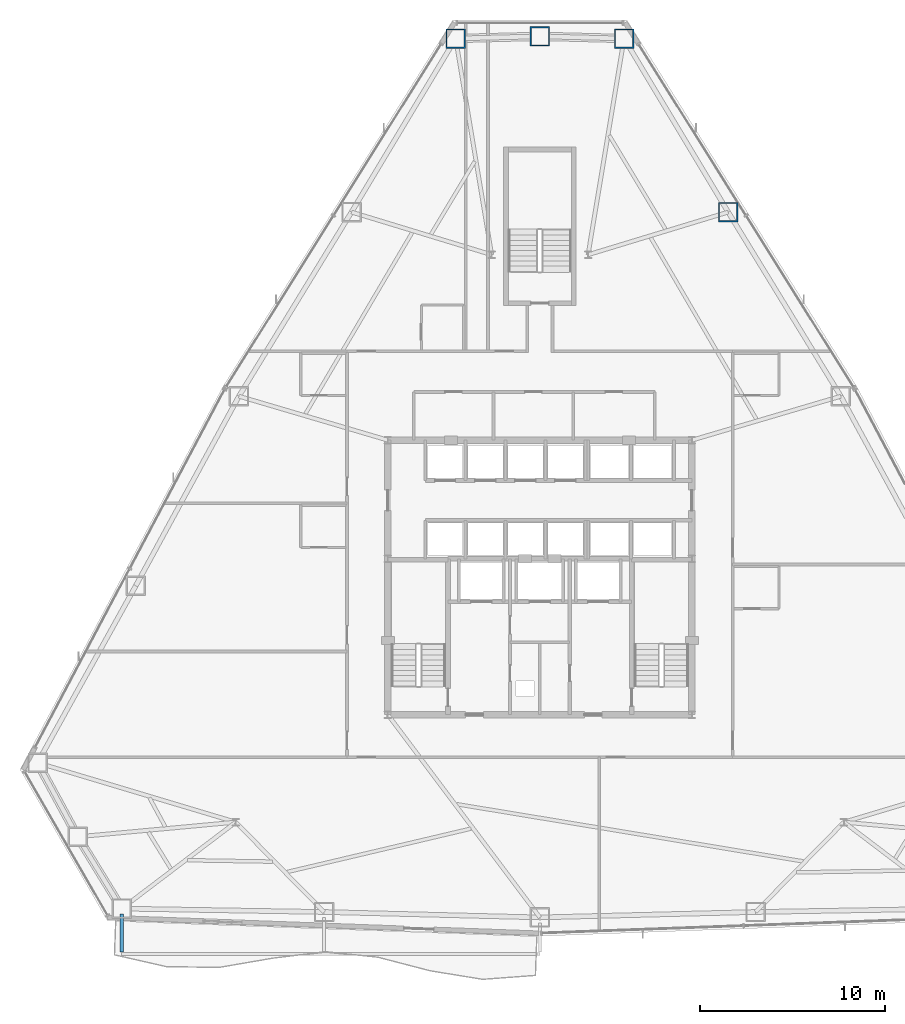
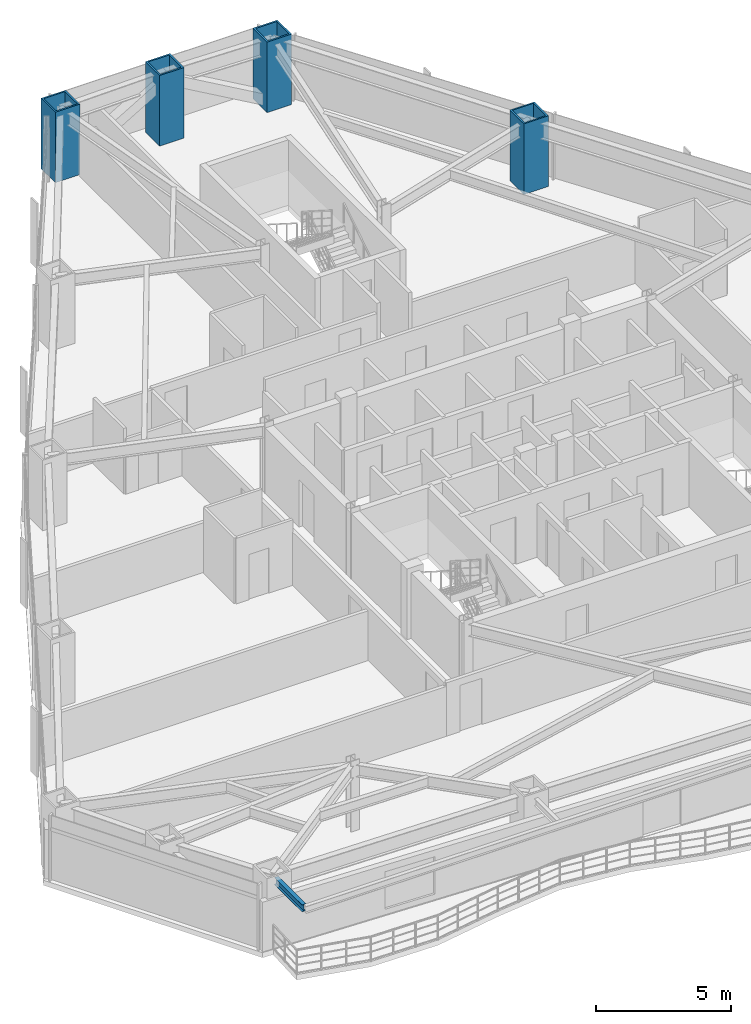
# One storey, part 3 of 13: 4 columns, 1 beam.
"""IFC4 building model written with IfcOpenShell, lengths in metres."""

import ifcopenshell
import ifcopenshell.guid

model = None  # the IFC model being written
_history = None  # IfcOwnerHistory: only IFC2X3 demands one
_inside = {}  # id of a spatial element -> (the spatial element, [elements in it])
_under = {}  # id of a project, library or spatial element -> (it, [spatial elements below it])
_declared = {}  # id of a project -> (the project, [libraries it declares])
_typed = {}  # id of a type object -> (the type object, [elements of that type])
_made_of = {}  # id of a material, layer set ... -> (it, [elements and type objects made of it])


def new_model(schema):
    """Start an empty IFC model of exactly this schema.

    Asked for "IFC4X3", IfcOpenShell would pick the latest addendum, in which some entities
    have other attributes; the version numbers below select the first issue.
    IFC2X3 requires an IfcOwnerHistory on every rooted entity: one is made here for all.
    """
    global model, _history
    if schema == "IFC4X3":
        model = ifcopenshell.file(schema_version=(4, 3, 0, 0))
    else:
        model = ifcopenshell.file(schema=schema)
    _inside.clear()
    _under.clear()
    _declared.clear()
    _typed.clear()
    _made_of.clear()
    _history = None
    if model.schema == "IFC2X3":
        org = make("IfcOrganization", Name="unknown")
        user = make(
            "IfcPersonAndOrganization",
            ThePerson=make("IfcPerson", FamilyName="unknown"),
            TheOrganization=org,
        )
        app = make(
            "IfcApplication",
            ApplicationDeveloper=org,
            Version="unknown",
            ApplicationFullName="unknown",
            ApplicationIdentifier="unknown",
        )
        _history = make(
            "IfcOwnerHistory",
            OwningUser=user,
            OwningApplication=app,
            ChangeAction="ADDED",
            CreationDate=0,
        )
    return model


def make(cls, **values):
    """One entity of the class cls with the attributes given. An attribute that is None is left unset."""
    return model.create_entity(
        cls, **{name: value for name, value in values.items() if value is not None}
    )


def rooted(cls, **values):
    """An entity with a GlobalId (a new one), such as an element, a storey or a relation."""
    return make(cls, GlobalId=ifcopenshell.guid.new(), OwnerHistory=_history, **values)


def si_unit(unit_type, name, prefix=None):
    """IfcSIUnit, for example si_unit("LENGTHUNIT", "METRE", prefix="MILLI")."""
    return make("IfcSIUnit", UnitType=unit_type, Prefix=prefix, Name=name)


def assignment(units):
    """IfcUnitAssignment: the units of a project."""
    return None if units is None else make("IfcUnitAssignment", Units=units)


def point(xyz):
    """IfcCartesianPoint."""
    return None if xyz is None else make("IfcCartesianPoint", Coordinates=xyz)


def direction(xyz):
    """IfcDirection."""
    return None if xyz is None else make("IfcDirection", DirectionRatios=xyz)


def frame(location, z_axis=None, x_axis=None):
    """IfcAxis2Placement3D, a coordinate frame: its origin and axes. An axis left out is left unset."""
    return make(
        "IfcAxis2Placement3D",
        Location=point(location),
        Axis=direction(z_axis),
        RefDirection=direction(x_axis),
    )


def frame_2d(location, x_axis=None):
    """IfcAxis2Placement2D, a coordinate frame in the plane: its origin and x axis."""
    return make(
        "IfcAxis2Placement2D", Location=point(location), RefDirection=direction(x_axis)
    )


def origin():
    """The frame at (0, 0, 0) with its axes left unset."""
    return frame((0.0, 0.0, 0.0))


def origin_2d():
    """The frame at (0, 0) in the plane with its x axis left unset."""
    return frame_2d((0.0, 0.0))


def place(relative_to, where):
    """IfcLocalPlacement: puts the frame where relative to a parent placement (None: the world)."""
    return make(
        "IfcLocalPlacement", PlacementRelTo=relative_to, RelativePlacement=where
    )


def context(
    kind, dimensions, precision=None, world=None, true_north=None, identifier=None
):
    """IfcGeometricRepresentationContext, for example the 3D "Model" context."""
    return make(
        "IfcGeometricRepresentationContext",
        ContextIdentifier=identifier,
        ContextType=kind,
        CoordinateSpaceDimension=dimensions,
        Precision=precision,
        WorldCoordinateSystem=world,
        TrueNorth=true_north,
    )


def subcontext(parent, identifier, kind, view, scale=None):
    """IfcGeometricRepresentationSubContext, for example "Body" below "Model"."""
    return make(
        "IfcGeometricRepresentationSubContext",
        ContextIdentifier=identifier,
        ContextType=kind,
        ParentContext=parent,
        TargetScale=scale,
        TargetView=view,
    )


def project(units=None, contexts=None):
    """IfcProject with its units and contexts."""
    return rooted(
        "IfcProject",
        Name="project",
        RepresentationContexts=contexts,
        UnitsInContext=assignment(units),
    )


def spatial(cls, under=None, at=None, **own):
    """A site, building, storey or space (cls), placed at a placement, below another one or the project."""
    s = rooted(cls, ObjectPlacement=at, **own)
    if under is not None:
        _under.setdefault(under.id(), (under, []))[1].append(s)
    return s


def profile(cls, at=None, kind="AREA", **sizes):
    """A parametric profile (cls). Its sizes go by their IFC names, for example OverallWidth=200.0."""
    return make(cls, ProfileType=kind, Position=at, **sizes)


def hollow_rectangle(**sizes):
    """IfcRectangleHollowProfileDef."""
    return profile("IfcRectangleHollowProfileDef", **sizes)


def i_section(**sizes):
    """IfcIShapeProfileDef."""
    return profile("IfcIShapeProfileDef", **sizes)


def extrude(swept, where, along, depth):
    """IfcExtrudedAreaSolid: the profile swept, set in the frame where, extruded along a direction by depth."""
    return make(
        "IfcExtrudedAreaSolid",
        SweptArea=swept,
        Position=where,
        ExtrudedDirection=direction(along),
        Depth=depth,
    )


def shape(context_of_items, identifier, shape_type, items):
    """IfcShapeRepresentation: the items that make up one representation, for example the "Body"."""
    return make(
        "IfcShapeRepresentation",
        ContextOfItems=context_of_items,
        RepresentationIdentifier=identifier,
        RepresentationType=shape_type,
        Items=items,
    )


def material(Name=None, Category=None):
    """IfcMaterial."""
    return make("IfcMaterial", Name=Name, Category=Category)


def material_profile(
    of_material, cross_section, Name=None, Category=None, Priority=None
):
    """IfcMaterialProfile: a cross section and its material."""
    return make(
        "IfcMaterialProfile",
        Name=Name,
        Material=of_material,
        Profile=cross_section,
        Priority=Priority,
        Category=Category,
    )


def profile_set(profiles, Name=None, composite=None):
    """IfcMaterialProfileSet."""
    return make(
        "IfcMaterialProfileSet",
        Name=Name,
        MaterialProfiles=profiles,
        CompositeProfile=composite,
    )


def made_of(thing, what):
    """Note that an element or type object is made of a material, layer set ...; save() writes the relation."""
    if what is not None:
        _made_of.setdefault(what.id(), (what, []))[1].append(thing)
    return thing


def type_object(cls, material=None, **own):
    """A type object (cls), such as IfcWallType, which elements share."""
    return made_of(rooted(cls, **own), material)


def element(
    cls,
    number,
    at=None,
    inside=None,
    cuts=None,
    type_object=None,
    material=None,
    context=None,
    identifier="Body",
    shape_type=None,
    held_by="IfcProductDefinitionShape",
    body=None,
    shapes=None,
    **own,
):
    """One element of the class cls, such as IfcWall. Its Tag is "e" and its number.

    at: its placement. inside: the storey or other place that contains it. cuts: it is an
    opening in that element (IfcRelVoidsElement). A single representation is given by context,
    identifier, shape_type and body (its items); several are given by shapes. held_by: the class
    of the entity that holds the representations. save() writes the other relations.
    """
    e = rooted(cls, Tag="e%d" % number, ObjectPlacement=at, **own)
    if body is not None:
        shapes = [shape(context, identifier, shape_type, body)]
    if shapes is not None:
        e.Representation = make(held_by, Representations=shapes)
    if inside is not None:
        _inside.setdefault(inside.id(), (inside, []))[1].append(e)
    if cuts is not None:
        rooted(
            "IfcRelVoidsElement", RelatingBuildingElement=cuts, RelatedOpeningElement=e
        )
    if type_object is not None:
        _typed.setdefault(type_object.id(), (type_object, []))[1].append(e)
    return made_of(e, material)


def aggregate(whole, parts):
    """IfcRelAggregates: a whole, such as a stair, and the parts it consists of."""
    return rooted("IfcRelAggregates", RelatingObject=whole, RelatedObjects=parts)


def save(model, path):
    """Write the relations noted so far, then the file.

    IfcRelAggregates (storeys below a building ...), IfcRelContainedInSpatialStructure (elements
    in a storey), IfcRelDefinesByType, IfcRelAssociatesMaterial and IfcRelDeclares: one each for
    every whole, place, type object, material and project.
    """
    for whole, parts in _under.values():
        aggregate(whole, parts)
    for where, things in _inside.values():
        rooted(
            "IfcRelContainedInSpatialStructure",
            RelatedElements=things,
            RelatingStructure=where,
        )
    for kind, things in _typed.values():
        rooted("IfcRelDefinesByType", RelatedObjects=things, RelatingType=kind)
    for what, things in _made_of.values():
        rooted("IfcRelAssociatesMaterial", RelatedObjects=things, RelatingMaterial=what)
    for by, libraries in _declared.values():
        rooted("IfcRelDeclares", RelatingContext=by, RelatedDefinitions=libraries)
    model.write(path)


model = new_model("IFC4")

# Units and contexts
model_context = context("Model", 3, precision=1e-05, world=origin(), true_north=direction((0.0, 1.0)))
body_context = subcontext(model_context, "Body", "Model", "MODEL_VIEW")
ifc_project = project(units=[si_unit("LENGTHUNIT", "METRE"), si_unit("AREAUNIT", "SQUARE_METRE"), si_unit("VOLUMEUNIT", "CUBIC_METRE"), si_unit("PLANEANGLEUNIT", "RADIAN"), si_unit("MASSUNIT", "GRAM", prefix="KILO")], contexts=[model_context])

# Site, building, storey
site_placement = place(None, origin())
site = spatial("IfcSite", under=ifc_project, at=site_placement, CompositionType="ELEMENT")
building_placement = place(site_placement, origin())
building = spatial("IfcBuilding", under=site, at=building_placement, Name="Varakhsha Concourse Tower", CompositionType="ELEMENT")
storey_placement = place(building_placement, frame((0.0, 0.0, 92.60009765625)))
storey = spatial("IfcBuildingStorey", under=building, at=storey_placement, Name="L26", CompositionType="ELEMENT", Elevation=92.60009765625)

# Columns
ifc_material_1 = material(Name="Structural Steel ASTM A572 Grade 50", Category="steel")
ifc_material_profile_1 = material_profile(ifc_material_1, hollow_rectangle(XDim=1.050048828125, YDim=1.050048828125, WallThickness=0.070068359375, at=origin_2d()), Name="BOX 1050x1050x70")
ifc_profile_set_1 = profile_set([ifc_material_profile_1], Name="Structural Steel ASTM A572 Grade 50")
column_type = type_object("IfcColumnType", Name="CL-TUBE-1050", PredefinedType="COLUMN", material=ifc_profile_set_1)
for number, where, z_axis, x_axis, name in (
    (1, (44.54150390625, 52.85986328125, 0.0), (0.0, 0.0, 1.0), (1.0, 0.0, 0.0), "L26 Framed-Tube Column TC01"),
    (2, (40.0, 52.9794921875, 0.0), (0.0, 0.0, 1.0), (1.0, 0.0, 0.0), "L26 Framed-Tube Column TC02"),
    (3, (35.45849609375, 52.85986328125, 0.0), (0.0, 0.0, 1.0), (1.0, 0.0, 0.0), "L26 Framed-Tube Column TC03"),
    (4, (50.156494140625, 43.499755859375, 0.0), (0.0, 0.0, 1.0), (1.0, 0.0, 0.0), "L26 Framed-Tube Column TC18"),
):
    element("IfcColumn", number, at=place(storey_placement, frame(where, z_axis=z_axis, x_axis=x_axis)), inside=storey, type_object=column_type, Name=name, PredefinedType="COLUMN", context=body_context, shape_type="SweptSolid", body=[
        extrude(hollow_rectangle(XDim=1.050048828125, YDim=1.050048828125, WallThickness=0.070068359375, at=origin_2d()), origin(), (0.0, 0.0, 1.0), 3.199951171875),
    ])

# Beam
ifc_material_2 = material(Name="Structural Steel ASTM A992 Grade 50", Category="steel")
ifc_material_profile_2 = material_profile(ifc_material_2, i_section(OverallWidth=0.1669921875, OverallDepth=0.31689453125, WebThickness=0.008056640625, FlangeThickness=0.012939453125, at=origin_2d()), Name="W12X35")
ifc_profile_set_2 = profile_set([ifc_material_profile_2], Name="Structural Steel ASTM A992 Grade 50")
beam_type = type_object("IfcBeamType", Name="BM-EDGE-W12X35", PredefinedType="BEAM", material=ifc_profile_set_2)
beam_placement = place(storey_placement, frame((17.45068359375, 5.641845703125, 2.801513671875), z_axis=(0.0, -1.0, 0.0), x_axis=(1.0, 0.0, 0.0)))
element("IfcBeam", 5, at=beam_placement, inside=storey, type_object=beam_type, Name="L27 Sky-Loggia Support Bracket 1", PredefinedType="BEAM", context=body_context, shape_type="SweptSolid", body=[
    extrude(i_section(OverallWidth=0.1669921875, OverallDepth=0.31689453125, WebThickness=0.008056640625, FlangeThickness=0.012939453125, at=origin_2d()), origin(), (0.0, 0.0, 1.0), 2.058349609375),
])

save(model, "model.ifc")
